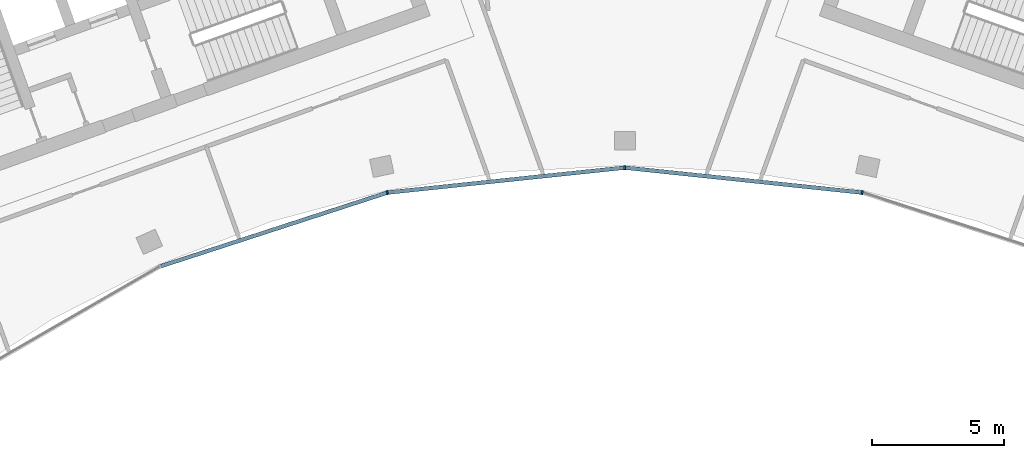
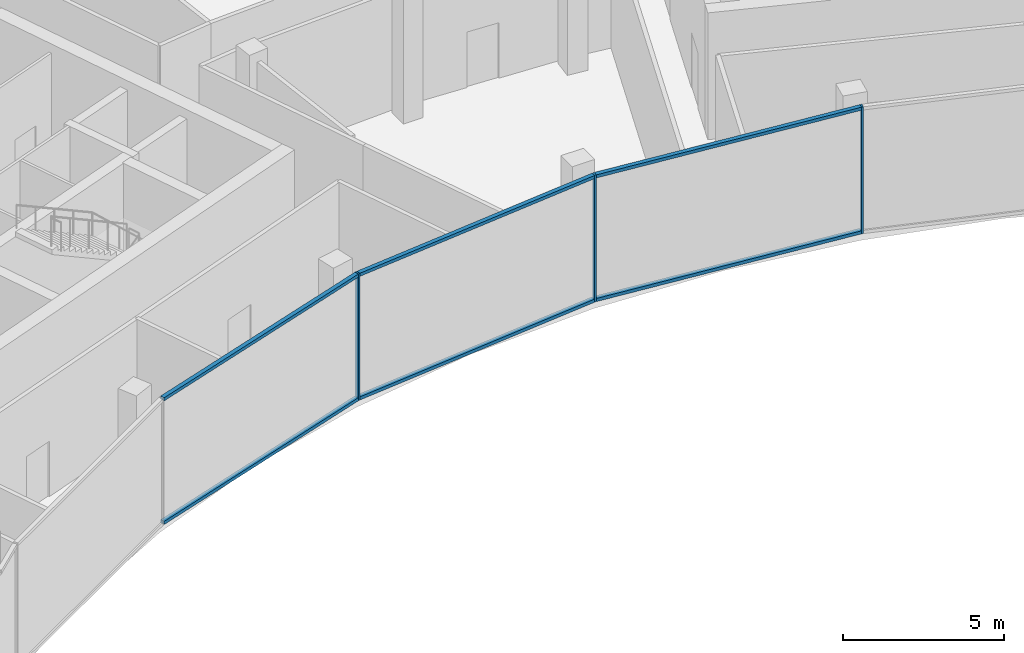
# One storey, part 5 of 17: 9 members, 1 element without a shape of its own.
"""IFC4 building model written with IfcOpenShell, lengths in metres."""

from ifc_helpers import new_model, si_unit, direction, frame, origin, origin_2d, place, context, subcontext, project, spatial, rectangle, extrude, material, layer, layer_set, material_profile, profile_set, type_object, element, aggregate, save


model = new_model("IFC4")

# Units and contexts
model_context = context("Model", 3, precision=1e-05, world=origin(), true_north=direction((0.0, 1.0)))
body_context = subcontext(model_context, "Body", "Model", "MODEL_VIEW")
ifc_project = project(units=[si_unit("LENGTHUNIT", "METRE"), si_unit("AREAUNIT", "SQUARE_METRE"), si_unit("VOLUMEUNIT", "CUBIC_METRE"), si_unit("PLANEANGLEUNIT", "RADIAN"), si_unit("MASSUNIT", "GRAM", prefix="KILO")], contexts=[model_context])

# Site, building, storey
site_placement = place(None, origin())
site = spatial("IfcSite", under=ifc_project, at=site_placement, CompositionType="ELEMENT")
building_placement = place(site_placement, origin())
building = spatial("IfcBuilding", under=site, at=building_placement, Name="Stone Belt Terrace Tower", CompositionType="ELEMENT")
storey_placement = place(building_placement, frame((0.0, 0.0, 313.39990234375)))
storey = spatial("IfcBuildingStorey", under=building, at=storey_placement, Name="L76", CompositionType="ELEMENT", Elevation=313.39990234375)

# Curtain wall, members
ifc_material = material(Name="Aluminium 6063-T6 anodised frame", Category="aluminium")
ifc_layer = layer(ifc_material, 0.14990234375)
ifc_layer_set = layer_set([ifc_layer], Name="CW-C stick curtain wall, horn ends and notches")
curtain_wall_type = type_object("IfcCurtainWallType", Name="CW-C stick curtain wall, horn ends and notches", PredefinedType="NOTDEFINED", material=ifc_layer_set)
curtain_wall_placement = place(storey_placement, origin())
curtain_wall = element("IfcCurtainWall", 1, at=curtain_wall_placement, inside=storey, type_object=curtain_wall_type, Name="CW-C concave face L76", PredefinedType="NOTDEFINED")
ifc_material_profile_1 = material_profile(ifc_material, rectangle(XDim=0.14990234375, YDim=0.06005859375, at=origin_2d()), Name="Aluminium 6063-T6 60x150")
ifc_profile_set_1 = profile_set([ifc_material_profile_1], Name="Aluminium 6063-T6 anodised frame")
member_type_1 = type_object("IfcMemberType", Name="CW-C mullion 60 x 150", PredefinedType="MULLION", material=ifc_profile_set_1)
member_1_placement = place(storey_placement, frame((-9.028564453125, 42.4755859375, 0.0), z_axis=(0.0, 0.0, 1.0), x_axis=(-0.207911690818, 0.978147600734, 0.0)))
member_1 = element("IfcMember", 2, at=member_1_placement, type_object=member_type_1, Name="CW-C mullion 4", PredefinedType="MULLION", context=body_context, shape_type="SweptSolid", body=[
    extrude(rectangle(XDim=0.14990234375, YDim=0.06005859375, at=origin_2d()), origin(), (0.0, 0.0, 1.0), 4.800048828125),
])
member_2_placement = place(storey_placement, frame((0.0, 43.424560546875, 0.0), z_axis=(0.0, 0.0, 1.0), x_axis=(0.0, 1.0, 0.0)))
member_2 = element("IfcMember", 3, at=member_2_placement, type_object=member_type_1, Name="CW-C mullion 5", PredefinedType="MULLION", context=body_context, shape_type="SweptSolid", body=[
    extrude(rectangle(XDim=0.14990234375, YDim=0.06005859375, at=origin_2d()), origin(), (0.0, 0.0, 1.0), 4.800048828125),
])
member_3_placement = place(storey_placement, frame((9.028564453125, 42.4755859375, 0.0), z_axis=(0.0, 0.0, 1.0), x_axis=(0.207911690818, 0.978147600734, 0.0)))
member_3 = element("IfcMember", 4, at=member_3_placement, type_object=member_type_1, Name="CW-C mullion 6", PredefinedType="MULLION", context=body_context, shape_type="SweptSolid", body=[
    extrude(rectangle(XDim=0.14990234375, YDim=0.06005859375, at=origin_2d()), origin(), (0.0, 0.0, 1.0), 4.800048828125),
])
ifc_material_profile_2 = material_profile(ifc_material, rectangle(XDim=0.14990234375, YDim=0.1201171875, at=origin_2d()), Name="Aluminium 6063-T6 150x120")
ifc_profile_set_2 = profile_set([ifc_material_profile_2], Name="Aluminium 6063-T6 anodised frame")
member_type_2 = type_object("IfcMemberType", Name="CW-C transom 120 x 150", PredefinedType="USERDEFINED", material=ifc_profile_set_2)
member_4_placement = place(storey_placement, frame((-17.62646484375, 39.681884765625, 0.06005859375), z_axis=(0.951050607887, 0.309035177995, 0.0), x_axis=(-0.309035177995, 0.951050607887, 0.0)))
member_4 = element("IfcMember", 5, at=member_4_placement, type_object=member_type_2, Name="CW-C transom 3.1", ObjectType="TRANSOM", PredefinedType="USERDEFINED", context=body_context, shape_type="SweptSolid", body=[
    extrude(rectangle(XDim=0.14990234375, YDim=0.1201171875, at=origin_2d()), origin(), (0.0, 0.0, 1.0), 9.0029296875),
])
member_5_placement = place(storey_placement, frame((-17.62646484375, 39.681884765625, 4.739990234375), z_axis=(0.951050607887, 0.309035177995, 0.0), x_axis=(-0.309035177995, 0.951050607887, 0.0)))
member_5 = element("IfcMember", 6, at=member_5_placement, type_object=member_type_2, Name="CW-C transom 3.2", ObjectType="TRANSOM", PredefinedType="USERDEFINED", context=body_context, shape_type="SweptSolid", body=[
    extrude(rectangle(XDim=0.14990234375, YDim=0.1201171875, at=origin_2d()), origin(), (0.0, 0.0, 1.0), 9.0029296875),
])
member_6_placement = place(storey_placement, frame((-8.990966796875, 42.4794921875, 0.06005859375), z_axis=(0.994520747173, 0.104539387041, 0.0), x_axis=(-0.104539387041, 0.994520747173, 0.0)))
member_6 = element("IfcMember", 7, at=member_6_placement, type_object=member_type_2, Name="CW-C transom 4.1", ObjectType="TRANSOM", PredefinedType="USERDEFINED", context=body_context, shape_type="SweptSolid", body=[
    extrude(rectangle(XDim=0.14990234375, YDim=0.1201171875, at=origin_2d()), origin(), (0.0, 0.0, 1.0), 9.0029296875),
])
member_7_placement = place(storey_placement, frame((-8.990966796875, 42.4794921875, 4.739990234375), z_axis=(0.994520747173, 0.104539387041, 0.0), x_axis=(-0.104539387041, 0.994520747173, 0.0)))
member_7 = element("IfcMember", 8, at=member_7_placement, type_object=member_type_2, Name="CW-C transom 4.2", ObjectType="TRANSOM", PredefinedType="USERDEFINED", context=body_context, shape_type="SweptSolid", body=[
    extrude(rectangle(XDim=0.14990234375, YDim=0.1201171875, at=origin_2d()), origin(), (0.0, 0.0, 1.0), 9.0029296875),
])
member_8_placement = place(storey_placement, frame((0.037353515625, 43.420654296875, 0.06005859375), z_axis=(0.994520747173, -0.104539387041, 0.0), x_axis=(0.104539387041, 0.994520747173, 0.0)))
member_8 = element("IfcMember", 9, at=member_8_placement, type_object=member_type_2, Name="CW-C transom 5.1", ObjectType="TRANSOM", PredefinedType="USERDEFINED", context=body_context, shape_type="SweptSolid", body=[
    extrude(rectangle(XDim=0.14990234375, YDim=0.1201171875, at=origin_2d()), origin(), (0.0, 0.0, 1.0), 9.0029296875),
])
member_9_placement = place(storey_placement, frame((0.037353515625, 43.420654296875, 4.739990234375), z_axis=(0.994520747173, -0.104539387041, 0.0), x_axis=(0.104539387041, 0.994520747173, 0.0)))
member_9 = element("IfcMember", 10, at=member_9_placement, type_object=member_type_2, Name="CW-C transom 5.2", ObjectType="TRANSOM", PredefinedType="USERDEFINED", context=body_context, shape_type="SweptSolid", body=[
    extrude(rectangle(XDim=0.14990234375, YDim=0.1201171875, at=origin_2d()), origin(), (0.0, 0.0, 1.0), 9.0029296875),
])
aggregate(curtain_wall, [member_1, member_2, member_3, member_4, member_5, member_6, member_7, member_8, member_9])

save(model, "model.ifc")
